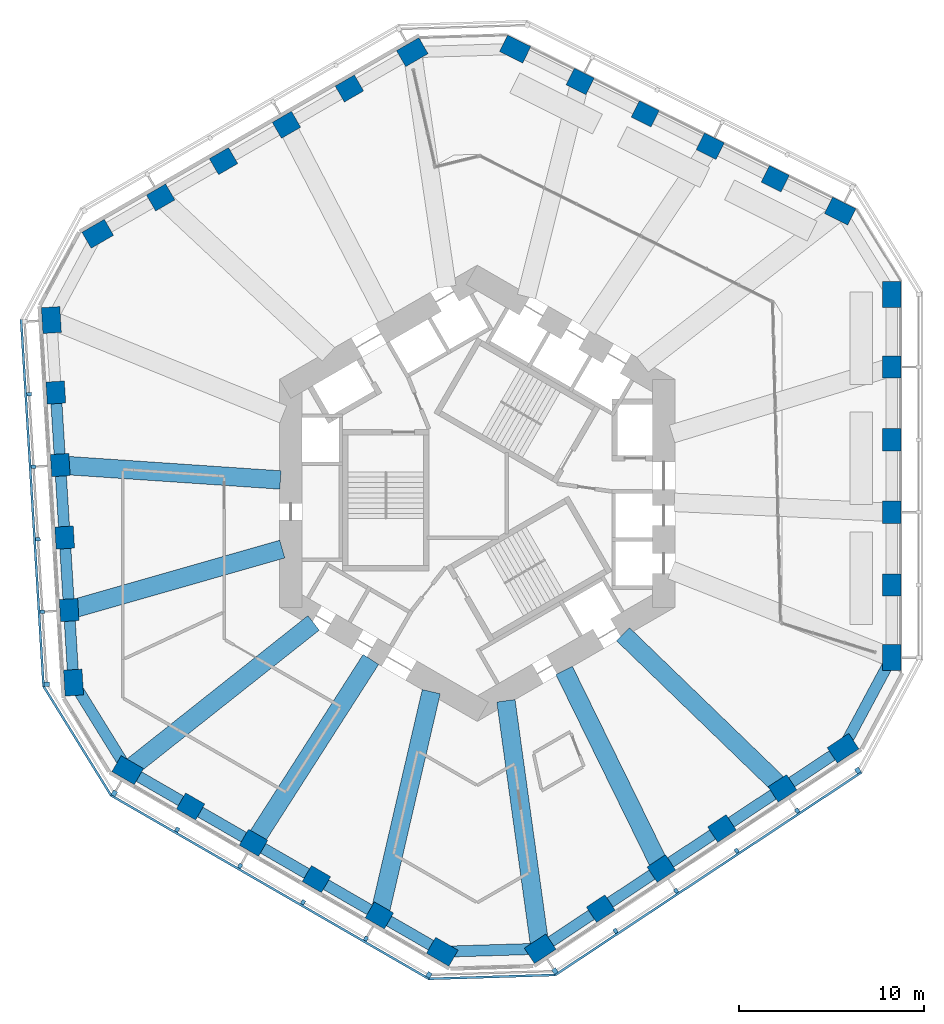
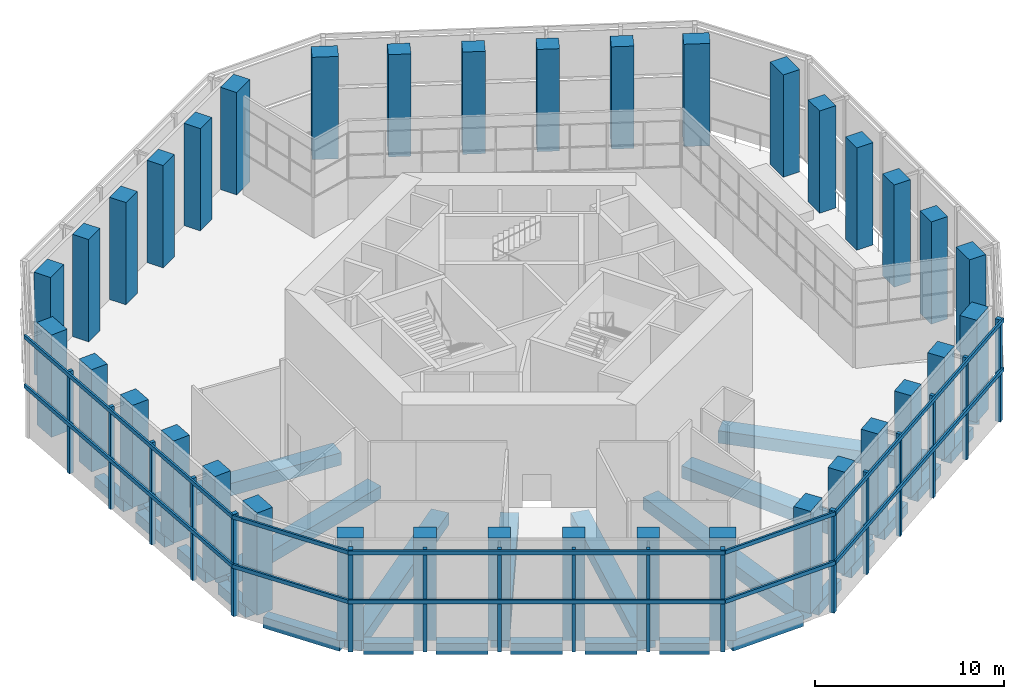
# One storey, part 1 of 17: 36 columns, 27 members, 25 beams, 5 elements without a shape of their own.
"""IFC4 building model written with IfcOpenShell, lengths in metres."""

from ifc_helpers import new_model, si_unit, direction, frame, origin, origin_2d, place, context, subcontext, project, spatial, rectangle, extrude, material, material_profile, profile_set, type_object, element, aggregate, save


model = new_model("IFC4")

# Units and contexts
model_context = context("Model", 3, precision=1e-05, world=origin(), true_north=direction((0.0, 1.0)))
body_context = subcontext(model_context, "Body", "Model", "MODEL_VIEW")
ifc_project = project(units=[si_unit("LENGTHUNIT", "METRE"), si_unit("AREAUNIT", "SQUARE_METRE"), si_unit("VOLUMEUNIT", "CUBIC_METRE"), si_unit("PLANEANGLEUNIT", "RADIAN"), si_unit("MASSUNIT", "GRAM", prefix="KILO")], contexts=[model_context])

# Site, building, storey
site_placement = place(None, origin())
site = spatial("IfcSite", under=ifc_project, at=site_placement, CompositionType="ELEMENT")
building_placement = place(site_placement, origin())
building = spatial("IfcBuilding", under=site, at=building_placement, Name="Vanh Sen Convention Tower", CompositionType="ELEMENT")
storey_placement = place(building_placement, frame((0.0, 0.0, 77.0)))
storey = spatial("IfcBuildingStorey", under=building, at=storey_placement, Name="L17", CompositionType="ELEMENT", Elevation=77.0)

# Columns
ifc_material_1 = material(Name="Concrete C80/95", Category="concrete")
ifc_material_profile_1 = material_profile(ifc_material_1, rectangle(XDim=1.199951171875, YDim=1.0, at=origin_2d()), Name="RC 1200X1000")
ifc_profile_set_1 = profile_set([ifc_material_profile_1], Name="Concrete C80/95")
column_type_1 = type_object("IfcColumnType", Name="Facade column 1200 x 1000 C80/95", PredefinedType="COLUMN", material=ifc_profile_set_1)
for number, where, z_axis, x_axis, name in (
    (1, (22.449951171875, -4.964599609375, 0.0), (0.0, 0.0, 1.0), (0.0, 1.0, 0.0), "Facade column 02 L17"),
    (2, (22.449951171875, -1.030029296875, 0.0), (0.0, 0.0, 1.0), (0.0, 1.0, 0.0), "Facade column 03 L17"),
    (3, (22.449951171875, 2.904541015625, 0.0), (0.0, 0.0, 1.0), (0.0, 1.0, 0.0), "Facade column 04 L17"),
    (4, (22.449951171875, 6.839111328125, 0.0), (0.0, 0.0, 1.0), (0.0, 1.0, 0.0), "Facade column 05 L17"),
    (5, (16.1376953125, 17.039794921875, 0.0), (0.0, 0.0, 1.0), (-0.894934361602, 0.44619781311, 0.0), "Facade column 08 L17"),
    (6, (12.616455078125, 18.79541015625, 0.0), (0.0, 0.0, 1.0), (-0.894934361602, 0.44619781311, 0.0), "Facade column 09 L17"),
    (7, (9.09521484375, 20.55078125, 0.0), (0.0, 0.0, 1.0), (-0.894934361602, 0.44619781311, 0.0), "Facade column 10 L17"),
    (8, (5.57421875, 22.306396484375, 0.0), (0.0, 0.0, 1.0), (-0.894934361602, 0.44619781311, 0.0), "Facade column 11 L17"),
    (9, (-6.925537109375, 21.924560546875, 0.0), (0.0, 0.0, 1.0), (-0.866025403784, -0.5, 0.0), "Facade column 14 L17"),
    (10, (-10.3330078125, 19.957275390625, 0.0), (0.0, 0.0, 1.0), (-0.866025403784, -0.5, 0.0), "Facade column 15 L17"),
    (11, (-13.740478515625, 17.989990234375, 0.0), (0.0, 0.0, 1.0), (-0.866025403784, -0.5, 0.0), "Facade column 16 L17"),
    (12, (-17.14794921875, 16.022705078125, 0.0), (0.0, 0.0, 1.0), (-0.866025403784, -0.5, 0.0), "Facade column 17 L17"),
    (13, (-22.82568359375, 5.455810546875, 0.0), (0.0, 0.0, 1.0), (0.061048539535, -0.998134798422, 0.0), "Facade column 20 L17"),
    (14, (-22.58544921875, 1.528564453125, 0.0), (0.0, 0.0, 1.0), (0.061048539535, -0.998134798422, 0.0), "Facade column 21 L17"),
    (15, (-22.34521484375, -2.398681640625, 0.0), (0.0, 0.0, 1.0), (0.061048539535, -0.998134798422, 0.0), "Facade column 22 L17"),
    (16, (-22.10498046875, -6.325927734375, 0.0), (0.0, 0.0, 1.0), (0.061048539535, -0.998134798422, 0.0), "Facade column 23 L17"),
    (17, (-15.5244140625, -16.9599609375, 0.0), (0.0, 0.0, 1.0), (0.866025403784, -0.5, 0.0), "Facade column 26 L17"),
    (18, (-12.1171875, -18.92724609375, 0.0), (0.0, 0.0, 1.0), (0.866025403784, -0.5, 0.0), "Facade column 27 L17"),
    (19, (-8.709716796875, -20.89453125, 0.0), (0.0, 0.0, 1.0), (0.866025403784, -0.5, 0.0), "Facade column 28 L17"),
    (20, (-5.302001953125, -22.86181640625, 0.0), (0.0, 0.0, 1.0), (0.866025403784, -0.5, 0.0), "Facade column 29 L17"),
    (21, (6.68798828125, -22.49560546875, 0.0), (0.0, 0.0, 1.0), (0.833885822067, 0.551936985312, 0.0), "Facade column 32 L17"),
    (22, (9.968994140625, -20.323974609375, 0.0), (0.0, 0.0, 1.0), (0.833885822067, 0.551936985312, 0.0), "Facade column 33 L17"),
    (23, (13.25, -18.152099609375, 0.0), (0.0, 0.0, 1.0), (0.833885822067, 0.551936985312, 0.0), "Facade column 34 L17"),
    (24, (16.531005859375, -15.980712890625, 0.0), (0.0, 0.0, 1.0), (0.833885822067, 0.551936985312, 0.0), "Facade column 35 L17"),
):
    element("IfcColumn", number, at=place(storey_placement, frame(where, z_axis=z_axis, x_axis=x_axis)), inside=storey, type_object=column_type_1, Name=name, PredefinedType="COLUMN", context=body_context, shape_type="SweptSolid", body=[
        extrude(rectangle(XDim=1.199951171875, YDim=1.0, at=origin_2d()), origin(), (0.0, 0.0, 1.0), 6.60009765625),
    ])
ifc_material_profile_2 = material_profile(ifc_material_1, rectangle(XDim=1.39990234375, YDim=1.0, at=origin_2d()), Name="RC 1400X1000")
ifc_profile_set_2 = profile_set([ifc_material_profile_2], Name="Concrete C80/95")
column_type_2 = type_object("IfcColumnType", Name="Facade corner column 1400 x 1000 C80/95", PredefinedType="COLUMN", material=ifc_profile_set_2)
for number, where, z_axis, x_axis, name in (
    (25, (22.449951171875, -8.899169921875, 0.0), (0.0, 0.0, 1.0), (0.0, 1.0, 0.0), "Facade column 01 L17"),
    (26, (22.449951171875, 10.773681640625, 0.0), (0.0, 0.0, 1.0), (0.0, 1.0, 0.0), "Facade column 06 L17"),
    (27, (19.658935546875, 15.2841796875, 0.0), (0.0, 0.0, 1.0), (-0.894934361602, 0.44619781311, 0.0), "Facade column 07 L17"),
    (28, (2.052978515625, 24.06201171875, 0.0), (0.0, 0.0, 1.0), (-0.894934361602, 0.44619781311, 0.0), "Facade column 12 L17"),
    (29, (-3.51806640625, 23.891845703125, 0.0), (0.0, 0.0, 1.0), (-0.866025403784, -0.5, 0.0), "Facade column 13 L17"),
    (30, (-20.555419921875, 14.055419921875, 0.0), (0.0, 0.0, 1.0), (-0.866025403784, -0.5, 0.0), "Facade column 18 L17"),
    (31, (-23.06591796875, 9.383056640625, 0.0), (0.0, 0.0, 1.0), (0.061048539535, -0.998134798422, 0.0), "Facade column 19 L17"),
    (32, (-21.86474609375, -10.253173828125, 0.0), (0.0, 0.0, 1.0), (0.061048539535, -0.998134798422, 0.0), "Facade column 24 L17"),
    (33, (-18.931884765625, -14.99267578125, 0.0), (0.0, 0.0, 1.0), (0.866025403784, -0.5, 0.0), "Facade column 25 L17"),
    (34, (-1.894775390625, -24.8291015625, 0.0), (0.0, 0.0, 1.0), (0.866025403784, -0.5, 0.0), "Facade column 30 L17"),
    (35, (3.406982421875, -24.6669921875, 0.0), (0.0, 0.0, 1.0), (0.833885822067, 0.551936985312, 0.0), "Facade column 31 L17"),
    (36, (19.81201171875, -13.808837890625, 0.0), (0.0, 0.0, 1.0), (0.833885822067, 0.551936985312, 0.0), "Facade column 36 L17"),
):
    element("IfcColumn", number, at=place(storey_placement, frame(where, z_axis=z_axis, x_axis=x_axis)), inside=storey, type_object=column_type_2, Name=name, PredefinedType="COLUMN", context=body_context, shape_type="SweptSolid", body=[
        extrude(rectangle(XDim=1.39990234375, YDim=1.0, at=origin_2d()), origin(), (0.0, 0.0, 1.0), 6.60009765625),
    ])

# Curtain wall, member
ifc_material_2 = material(Name="Concrete C50/60", Category="concrete")
curtain_wall_type = type_object("IfcCurtainWallType", Name="Outer skin hotel zone", PredefinedType="NOTDEFINED", material=ifc_material_2)
curtain_wall_1_placement = place(storey_placement, origin())
curtain_wall_1 = element("IfcCurtainWall", 37, at=curtain_wall_1_placement, inside=storey, type_object=curtain_wall_type, Name="OUTER SKIN W L17", PredefinedType="NOTDEFINED")
ifc_material_profile_3 = material_profile(ifc_material_2, rectangle(XDim=0.25, YDim=0.300048828125, at=origin_2d()), Name="Outer skin precast corner fin 250 x 300")
ifc_profile_set_3 = profile_set([ifc_material_profile_3], Name="Concrete C50/60")
member_type_1 = type_object("IfcMemberType", Name="Outer skin precast corner fin 250 x 300", PredefinedType="MULLION", material=ifc_profile_set_3)
member_1_placement = place(storey_placement, frame((-23.31201171875, -10.341796875, 0.0), z_axis=(0.0, 0.0, 1.0), x_axis=(0.061048539535, -0.998134798422, 0.0)))
member_1 = element("IfcMember", 38, at=member_1_placement, type_object=member_type_1, Name="OUTER SKIN CORNER FIN 6 W L17", PredefinedType="MULLION", context=body_context, shape_type="SweptSolid", body=[
    extrude(rectangle(XDim=0.25, YDim=0.300048828125, at=origin_2d()), origin(), (0.0, 0.0, 1.0), 6.60009765625),
])

# Curtain wall, members
curtain_wall_2_placement = place(storey_placement, origin())
curtain_wall_2 = element("IfcCurtainWall", 39, at=curtain_wall_2_placement, inside=storey, type_object=curtain_wall_type, Name="OUTER SKIN SW L17", PredefinedType="NOTDEFINED")
member_2_placement = place(storey_placement, frame((-19.656982421875, -16.248291015625, 0.0), z_axis=(0.0, 0.0, 1.0), x_axis=(0.866025403784, -0.5, 0.0)))
member_2 = element("IfcMember", 40, at=member_2_placement, type_object=member_type_1, Name="OUTER SKIN CORNER FIN 1 SW L17", PredefinedType="MULLION", context=body_context, shape_type="SweptSolid", body=[
    extrude(rectangle(XDim=0.25, YDim=0.300048828125, at=origin_2d()), origin(), (0.0, 0.0, 1.0), 6.60009765625),
])
member_3_placement = place(storey_placement, frame((-2.61962890625, -26.084716796875, 0.0), z_axis=(0.0, 0.0, 1.0), x_axis=(0.866025403784, -0.5, 0.0)))
member_3 = element("IfcMember", 41, at=member_3_placement, type_object=member_type_1, Name="OUTER SKIN CORNER FIN 6 SW L17", PredefinedType="MULLION", context=body_context, shape_type="SweptSolid", body=[
    extrude(rectangle(XDim=0.25, YDim=0.300048828125, at=origin_2d()), origin(), (0.0, 0.0, 1.0), 6.60009765625),
])

curtain_wall_3_placement = place(storey_placement, origin())
curtain_wall_3 = element("IfcCurtainWall", 42, at=curtain_wall_3_placement, inside=storey, type_object=curtain_wall_type, Name="OUTER SKIN SE L17", PredefinedType="NOTDEFINED")
member_4_placement = place(storey_placement, frame((4.207275390625, -25.876220703125, 0.0), z_axis=(0.0, 0.0, 1.0), x_axis=(0.833885822067, 0.551936985312, 0.0)))
member_4 = element("IfcMember", 43, at=member_4_placement, type_object=member_type_1, Name="OUTER SKIN CORNER FIN 1 SE L17", PredefinedType="MULLION", context=body_context, shape_type="SweptSolid", body=[
    extrude(rectangle(XDim=0.25, YDim=0.300048828125, at=origin_2d()), origin(), (0.0, 0.0, 1.0), 6.60009765625),
])
member_5_placement = place(storey_placement, frame((20.6123046875, -15.01806640625, 0.0), z_axis=(0.0, 0.0, 1.0), x_axis=(0.833885822067, 0.551936985312, 0.0)))
member_5 = element("IfcMember", 44, at=member_5_placement, type_object=member_type_1, Name="OUTER SKIN CORNER FIN 6 SE L17", PredefinedType="MULLION", context=body_context, shape_type="SweptSolid", body=[
    extrude(rectangle(XDim=0.25, YDim=0.300048828125, at=origin_2d()), origin(), (0.0, 0.0, 1.0), 6.60009765625),
])

# Member
ifc_material_profile_4 = material_profile(ifc_material_2, rectangle(XDim=0.199951171875, YDim=0.25, at=origin_2d()), Name="Outer skin precast fin 200 x 250")
ifc_profile_set_4 = profile_set([ifc_material_profile_4], Name="Concrete C50/60")
member_type_2 = type_object("IfcMemberType", Name="Outer skin precast fin 200 x 250", PredefinedType="MULLION", material=ifc_profile_set_4)
member_6_placement = place(storey_placement, frame((-24.27294921875, 5.3671875, 0.0), z_axis=(0.0, 0.0, 1.0), x_axis=(0.061048539535, -0.998134798422, 0.0)))
member_6 = element("IfcMember", 45, at=member_6_placement, type_object=member_type_2, Name="OUTER SKIN fin 2 W L17", PredefinedType="MULLION", context=body_context, shape_type="SweptSolid", body=[
    extrude(rectangle(XDim=0.199951171875, YDim=0.25, at=origin_2d()), origin(), (0.0, 0.0, 1.0), 6.60009765625),
])

member_7_placement = place(storey_placement, frame((-24.03271484375, 1.440185546875, 0.0), z_axis=(0.0, 0.0, 1.0), x_axis=(0.061048539535, -0.998134798422, 0.0)))
member_7 = element("IfcMember", 46, at=member_7_placement, type_object=member_type_2, Name="OUTER SKIN fin 3 W L17", PredefinedType="MULLION", context=body_context, shape_type="SweptSolid", body=[
    extrude(rectangle(XDim=0.199951171875, YDim=0.25, at=origin_2d()), origin(), (0.0, 0.0, 1.0), 6.60009765625),
])

member_8_placement = place(storey_placement, frame((-23.79248046875, -2.4873046875, 0.0), z_axis=(0.0, 0.0, 1.0), x_axis=(0.061048539535, -0.998134798422, 0.0)))
member_8 = element("IfcMember", 47, at=member_8_placement, type_object=member_type_2, Name="OUTER SKIN fin 4 W L17", PredefinedType="MULLION", context=body_context, shape_type="SweptSolid", body=[
    extrude(rectangle(XDim=0.199951171875, YDim=0.25, at=origin_2d()), origin(), (0.0, 0.0, 1.0), 6.60009765625),
])

member_9_placement = place(storey_placement, frame((-23.55224609375, -6.414306640625, 0.0), z_axis=(0.0, 0.0, 1.0), x_axis=(0.061048539535, -0.998134798422, 0.0)))
member_9 = element("IfcMember", 48, at=member_9_placement, type_object=member_type_2, Name="OUTER SKIN fin 5 W L17", PredefinedType="MULLION", context=body_context, shape_type="SweptSolid", body=[
    extrude(rectangle(XDim=0.199951171875, YDim=0.25, at=origin_2d()), origin(), (0.0, 0.0, 1.0), 6.60009765625),
])

member_10_placement = place(storey_placement, frame((-16.24951171875, -18.2158203125, 0.0), z_axis=(0.0, 0.0, 1.0), x_axis=(0.866025403784, -0.5, 0.0)))
member_10 = element("IfcMember", 49, at=member_10_placement, type_object=member_type_2, Name="OUTER SKIN fin 2 SW L17", PredefinedType="MULLION", context=body_context, shape_type="SweptSolid", body=[
    extrude(rectangle(XDim=0.199951171875, YDim=0.25, at=origin_2d()), origin(), (0.0, 0.0, 1.0), 6.60009765625),
])

member_11_placement = place(storey_placement, frame((-12.842041015625, -20.182861328125, 0.0), z_axis=(0.0, 0.0, 1.0), x_axis=(0.866025403784, -0.5, 0.0)))
member_11 = element("IfcMember", 50, at=member_11_placement, type_object=member_type_2, Name="OUTER SKIN fin 3 SW L17", PredefinedType="MULLION", context=body_context, shape_type="SweptSolid", body=[
    extrude(rectangle(XDim=0.199951171875, YDim=0.25, at=origin_2d()), origin(), (0.0, 0.0, 1.0), 6.60009765625),
])

member_12_placement = place(storey_placement, frame((-9.4345703125, -22.150146484375, 0.0), z_axis=(0.0, 0.0, 1.0), x_axis=(0.866025403784, -0.5, 0.0)))
member_12 = element("IfcMember", 51, at=member_12_placement, type_object=member_type_2, Name="OUTER SKIN fin 4 SW L17", PredefinedType="MULLION", context=body_context, shape_type="SweptSolid", body=[
    extrude(rectangle(XDim=0.199951171875, YDim=0.25, at=origin_2d()), origin(), (0.0, 0.0, 1.0), 6.60009765625),
])

member_13_placement = place(storey_placement, frame((-6.027099609375, -24.117431640625, 0.0), z_axis=(0.0, 0.0, 1.0), x_axis=(0.866025403784, -0.5, 0.0)))
member_13 = element("IfcMember", 52, at=member_13_placement, type_object=member_type_2, Name="OUTER SKIN fin 5 SW L17", PredefinedType="MULLION", context=body_context, shape_type="SweptSolid", body=[
    extrude(rectangle(XDim=0.199951171875, YDim=0.25, at=origin_2d()), origin(), (0.0, 0.0, 1.0), 6.60009765625),
])

member_14_placement = place(storey_placement, frame((7.48828125, -23.70458984375, 0.0), z_axis=(0.0, 0.0, 1.0), x_axis=(0.833885822067, 0.551936985312, 0.0)))
member_14 = element("IfcMember", 53, at=member_14_placement, type_object=member_type_2, Name="OUTER SKIN fin 2 SE L17", PredefinedType="MULLION", context=body_context, shape_type="SweptSolid", body=[
    extrude(rectangle(XDim=0.199951171875, YDim=0.25, at=origin_2d()), origin(), (0.0, 0.0, 1.0), 6.60009765625),
])

member_15_placement = place(storey_placement, frame((10.769287109375, -21.532958984375, 0.0), z_axis=(0.0, 0.0, 1.0), x_axis=(0.833885822067, 0.551936985312, 0.0)))
member_15 = element("IfcMember", 54, at=member_15_placement, type_object=member_type_2, Name="OUTER SKIN fin 3 SE L17", PredefinedType="MULLION", context=body_context, shape_type="SweptSolid", body=[
    extrude(rectangle(XDim=0.199951171875, YDim=0.25, at=origin_2d()), origin(), (0.0, 0.0, 1.0), 6.60009765625),
])

member_16_placement = place(storey_placement, frame((14.05029296875, -19.361328125, 0.0), z_axis=(0.0, 0.0, 1.0), x_axis=(0.833885822067, 0.551936985312, 0.0)))
member_16 = element("IfcMember", 55, at=member_16_placement, type_object=member_type_2, Name="OUTER SKIN fin 4 SE L17", PredefinedType="MULLION", context=body_context, shape_type="SweptSolid", body=[
    extrude(rectangle(XDim=0.199951171875, YDim=0.25, at=origin_2d()), origin(), (0.0, 0.0, 1.0), 6.60009765625),
])

member_17_placement = place(storey_placement, frame((17.331298828125, -17.189697265625, 0.0), z_axis=(0.0, 0.0, 1.0), x_axis=(0.833885822067, 0.551936985312, 0.0)))
member_17 = element("IfcMember", 56, at=member_17_placement, type_object=member_type_2, Name="OUTER SKIN fin 5 SE L17", PredefinedType="MULLION", context=body_context, shape_type="SweptSolid", body=[
    extrude(rectangle(XDim=0.199951171875, YDim=0.25, at=origin_2d()), origin(), (0.0, 0.0, 1.0), 6.60009765625),
])

ifc_material_profile_5 = material_profile(ifc_material_2, rectangle(XDim=0.1201171875, YDim=0.25, at=origin_2d()), Name="Outer skin precast spandrel band 250 x 120")
ifc_profile_set_5 = profile_set([ifc_material_profile_5], Name="Concrete C50/60")
member_type_3 = type_object("IfcMemberType", Name="Outer skin precast spandrel band 250 x 120", PredefinedType="USERDEFINED", material=ifc_profile_set_5)
member_18_placement = place(storey_placement, frame((-24.705322265625, 9.408203125, 6.47509765625), z_axis=(0.061050017989, -0.998134707995, 0.0), x_axis=(0.998134707995, 0.061050017989, 0.0)))
member_18 = element("IfcMember", 57, at=member_18_placement, type_object=member_type_3, Name="OUTER SKIN spandrel band W L17", ObjectType="TRANSOM", PredefinedType="USERDEFINED", context=body_context, shape_type="SweptSolid", body=[
    extrude(rectangle(XDim=0.1201171875, YDim=0.25, at=origin_2d()), origin(), (0.0, 0.0, 1.0), 19.923095703125),
])

member_19_placement = place(storey_placement, frame((-24.705322265625, 9.408203125, 3.300048828125), z_axis=(0.061050017989, -0.998134707995, 0.0), x_axis=(0.998134707995, 0.061050017989, 0.0)))
member_19 = element("IfcMember", 58, at=member_19_placement, type_object=member_type_3, Name="OUTER SKIN spandrel band W L17 mid", ObjectType="TRANSOM", PredefinedType="USERDEFINED", context=body_context, shape_type="SweptSolid", body=[
    extrude(rectangle(XDim=0.1201171875, YDim=0.25, at=origin_2d()), origin(), (0.0, 0.0, 1.0), 19.923095703125),
])

aggregate(curtain_wall_1, [member_6, member_7, member_8, member_9, member_1, member_18, member_19])

# Curtain wall, members
curtain_wall_4_placement = place(storey_placement, origin())
curtain_wall_4 = element("IfcCurtainWall", 59, at=curtain_wall_4_placement, inside=storey, type_object=curtain_wall_type, Name="OUTER SKIN CH4 L17", PredefinedType="NOTDEFINED")
member_20_placement = place(storey_placement, frame((-23.49072265625, -10.4521484375, 6.47509765625), z_axis=(0.526196095141, -0.850363257354, 0.0), x_axis=(0.850363257354, 0.526196095141, 0.0)))
member_20 = element("IfcMember", 60, at=member_20_placement, type_object=member_type_3, Name="OUTER SKIN spandrel band CH4 L17", ObjectType="TRANSOM", PredefinedType="USERDEFINED", context=body_context, shape_type="SweptSolid", body=[
    extrude(rectangle(XDim=0.1201171875, YDim=0.25, at=origin_2d()), origin(), (0.0, 0.0, 1.0), 6.946044921875),
])
member_21_placement = place(storey_placement, frame((-23.49072265625, -10.4521484375, 3.300048828125), z_axis=(0.526196095141, -0.850363257354, 0.0), x_axis=(0.850363257354, 0.526196095141, 0.0)))
member_21 = element("IfcMember", 61, at=member_21_placement, type_object=member_type_3, Name="OUTER SKIN spandrel band CH4 L17 mid", ObjectType="TRANSOM", PredefinedType="USERDEFINED", context=body_context, shape_type="SweptSolid", body=[
    extrude(rectangle(XDim=0.1201171875, YDim=0.25, at=origin_2d()), origin(), (0.0, 0.0, 1.0), 6.946044921875),
])
aggregate(curtain_wall_4, [member_20, member_21])

# Member
member_22_placement = place(storey_placement, frame((-19.85791015625, -16.34619140625, 6.47509765625), z_axis=(0.866028047459, -0.499995420993, 0.0), x_axis=(0.499995420993, 0.866028047459, 0.0)))
member_22 = element("IfcMember", 62, at=member_22_placement, type_object=member_type_3, Name="OUTER SKIN spandrel band SW L17", ObjectType="TRANSOM", PredefinedType="USERDEFINED", context=body_context, shape_type="SweptSolid", body=[
    extrude(rectangle(XDim=0.1201171875, YDim=0.25, at=origin_2d()), origin(), (0.0, 0.0, 1.0), 19.923095703125),
])

member_23_placement = place(storey_placement, frame((-19.85791015625, -16.34619140625, 3.300048828125), z_axis=(0.866028047459, -0.499995420993, 0.0), x_axis=(0.499995420993, 0.866028047459, 0.0)))
member_23 = element("IfcMember", 63, at=member_23_placement, type_object=member_type_3, Name="OUTER SKIN spandrel band SW L17 mid", ObjectType="TRANSOM", PredefinedType="USERDEFINED", context=body_context, shape_type="SweptSolid", body=[
    extrude(rectangle(XDim=0.1201171875, YDim=0.25, at=origin_2d()), origin(), (0.0, 0.0, 1.0), 19.923095703125),
])

aggregate(curtain_wall_2, [member_2, member_10, member_11, member_12, member_13, member_3, member_22, member_23])

# Curtain wall, members
curtain_wall_5_placement = place(storey_placement, origin())
curtain_wall_5 = element("IfcCurtainWall", 64, at=curtain_wall_5_placement, inside=storey, type_object=curtain_wall_type, Name="OUTER SKIN CH5 L17", PredefinedType="NOTDEFINED")
member_24_placement = place(storey_placement, frame((-2.61328125, -26.294677734375, 6.47509765625), z_axis=(0.99953396928, 0.030526124156, 0.0), x_axis=(-0.030526124156, 0.99953396928, 0.0)))
member_24 = element("IfcMember", 65, at=member_24_placement, type_object=member_type_3, Name="OUTER SKIN spandrel band CH5 L17", ObjectType="TRANSOM", PredefinedType="USERDEFINED", context=body_context, shape_type="SweptSolid", body=[
    extrude(rectangle(XDim=0.1201171875, YDim=0.25, at=origin_2d()), origin(), (0.0, 0.0, 1.0), 6.830078125),
])
member_25_placement = place(storey_placement, frame((-2.61328125, -26.294677734375, 3.300048828125), z_axis=(0.99953396928, 0.030526124156, 0.0), x_axis=(-0.030526124156, 0.99953396928, 0.0)))
member_25 = element("IfcMember", 66, at=member_25_placement, type_object=member_type_3, Name="OUTER SKIN spandrel band CH5 L17 mid", ObjectType="TRANSOM", PredefinedType="USERDEFINED", context=body_context, shape_type="SweptSolid", body=[
    extrude(rectangle(XDim=0.1201171875, YDim=0.25, at=origin_2d()), origin(), (0.0, 0.0, 1.0), 6.830078125),
])
aggregate(curtain_wall_5, [member_24, member_25])

# Member
member_26_placement = place(storey_placement, frame((4.205078125, -26.099609375, 6.47509765625), z_axis=(0.833883851182, 0.551939962984, 0.0), x_axis=(-0.551939962984, 0.833883851182, 0.0)))
member_26 = element("IfcMember", 67, at=member_26_placement, type_object=member_type_3, Name="OUTER SKIN spandrel band SE L17", ObjectType="TRANSOM", PredefinedType="USERDEFINED", context=body_context, shape_type="SweptSolid", body=[
    extrude(rectangle(XDim=0.1201171875, YDim=0.25, at=origin_2d()), origin(), (0.0, 0.0, 1.0), 19.923095703125),
])

member_27_placement = place(storey_placement, frame((4.205078125, -26.099609375, 3.300048828125), z_axis=(0.833883851182, 0.551939962984, 0.0), x_axis=(-0.551939962984, 0.833883851182, 0.0)))
member_27 = element("IfcMember", 68, at=member_27_placement, type_object=member_type_3, Name="OUTER SKIN spandrel band SE L17 mid", ObjectType="TRANSOM", PredefinedType="USERDEFINED", context=body_context, shape_type="SweptSolid", body=[
    extrude(rectangle(XDim=0.1201171875, YDim=0.25, at=origin_2d()), origin(), (0.0, 0.0, 1.0), 19.923095703125),
])

aggregate(curtain_wall_3, [member_4, member_14, member_15, member_16, member_17, member_5, member_26, member_27])

# Beams
ifc_material_3 = material(Name="Concrete C50/60", Category="concrete")
ifc_material_profile_6 = material_profile(ifc_material_3, rectangle(XDim=1.0, YDim=0.800048828125, at=origin_2d()), Name="RC 1000X800")
ifc_profile_set_6 = profile_set([ifc_material_profile_6], Name="Concrete C50/60")
beam_type_1 = type_object("IfcBeamType", Name="Radial floor beam 1000 x 800", PredefinedType="BEAM", material=ifc_profile_set_6)
beam_1_placement = place(storey_placement, frame((-22.15185546875, 1.499267578125, -0.75), z_axis=(0.997718156648, -0.067516515721, 0.0), x_axis=(0.067516515721, 0.997718156648, 0.0)))
element("IfcBeam", 69, at=beam_1_placement, inside=storey, type_object=beam_type_1, Name="Radial beam 11 L17", PredefinedType="BEAM", context=body_context, shape_type="SweptSolid", body=[
    extrude(rectangle(XDim=1.0, YDim=0.800048828125, at=origin_2d()), origin(), (0.0, 0.0, 1.0), 11.51708984375),
])
beam_2_placement = place(storey_placement, frame((-21.723876953125, -6.216796875, -0.75), z_axis=(0.961405669021, 0.275134766203, 0.0), x_axis=(-0.275134766203, 0.961405669021, 0.0)))
element("IfcBeam", 70, at=beam_2_placement, inside=storey, type_object=beam_type_1, Name="Radial beam 12 L17", PredefinedType="BEAM", context=body_context, shape_type="SweptSolid", body=[
    extrude(rectangle(XDim=1.0, YDim=0.800048828125, at=origin_2d()), origin(), (0.0, 0.0, 1.0), 11.614501953125),
])
beam_3_placement = place(storey_placement, frame((-18.669677734375, -14.784912109375, -0.75), z_axis=(0.783946075621, 0.620828922102, 0.0), x_axis=(-0.620828922102, 0.783946075621, 0.0)))
element("IfcBeam", 71, at=beam_3_placement, inside=storey, type_object=beam_type_1, Name="Radial beam 13 L17", PredefinedType="BEAM", context=body_context, shape_type="SweptSolid", body=[
    extrude(rectangle(XDim=1.0, YDim=0.800048828125, at=origin_2d()), origin(), (0.0, 0.0, 1.0), 12.508056640625),
])
beam_4_placement = place(storey_placement, frame((-11.8623046875, -18.529296875, -0.75), z_axis=(0.539168157523, 0.842198134594, 0.0), x_axis=(-0.842198134594, 0.539168157523, 0.0)))
element("IfcBeam", 72, at=beam_4_placement, inside=storey, type_object=beam_type_1, Name="Radial beam 14 L17", PredefinedType="BEAM", context=body_context, shape_type="SweptSolid", body=[
    extrude(rectangle(XDim=1.0, YDim=0.800048828125, at=origin_2d()), origin(), (0.0, 0.0, 1.0), 11.31787109375),
])
beam_5_placement = place(storey_placement, frame((-5.219482421875, -22.505859375, -0.75), z_axis=(0.225921069531, 0.974145610441, 0.0), x_axis=(-0.974145610441, 0.225921069531, 0.0)))
element("IfcBeam", 73, at=beam_5_placement, inside=storey, type_object=beam_type_1, Name="Radial beam 15 L17", PredefinedType="BEAM", context=body_context, shape_type="SweptSolid", body=[
    extrude(rectangle(XDim=1.0, YDim=0.800048828125, at=origin_2d()), origin(), (0.0, 0.0, 1.0), 12.0751953125),
])
beam_6_placement = place(storey_placement, frame((3.364501953125, -24.3603515625, -0.75), z_axis=(-0.136807007089, 0.990597719971, 0.0), x_axis=(-0.990597719971, -0.136807007089, 0.0)))
element("IfcBeam", 74, at=beam_6_placement, inside=storey, type_object=beam_type_1, Name="Radial beam 16 L17", PredefinedType="BEAM", context=body_context, shape_type="SweptSolid", body=[
    extrude(rectangle(XDim=1.0, YDim=0.800048828125, at=origin_2d()), origin(), (0.0, 0.0, 1.0), 13.24853515625),
])
beam_7_placement = place(storey_placement, frame((9.777587890625, -19.933837890625, -0.75), z_axis=(-0.440374700847, 0.897814080339, 0.0), x_axis=(-0.897814080339, -0.440374700847, 0.0)))
element("IfcBeam", 75, at=beam_7_placement, inside=storey, type_object=beam_type_1, Name="Radial beam 17 L17", PredefinedType="BEAM", context=body_context, shape_type="SweptSolid", body=[
    extrude(rectangle(XDim=1.0, YDim=0.800048828125, at=origin_2d()), origin(), (0.0, 0.0, 1.0), 11.516845703125),
])
beam_8_placement = place(storey_placement, frame((16.245849609375, -15.705078125, -0.75), z_axis=(-0.718976471313, 0.695034411881, 0.0), x_axis=(-0.695034411881, -0.718976471313, 0.0)))
element("IfcBeam", 76, at=beam_8_placement, inside=storey, type_object=beam_type_1, Name="Radial beam 18 L17", PredefinedType="BEAM", context=body_context, shape_type="SweptSolid", body=[
    extrude(rectangle(XDim=1.0, YDim=0.800048828125, at=origin_2d()), origin(), (0.0, 0.0, 1.0), 11.614501953125),
])
ifc_material_profile_7 = material_profile(ifc_material_3, rectangle(XDim=0.60009765625, YDim=0.699951171875, at=origin_2d()), Name="RC 600X700")
ifc_profile_set_7 = profile_set([ifc_material_profile_7], Name="Concrete C50/60")
beam_type_2 = type_object("IfcBeamType", Name="Spandrel beam 600 x 700", PredefinedType="SPANDREL", material=ifc_profile_set_7)
beam_9_placement = place(storey_placement, frame((-22.789306640625, 4.86181640625, -0.699951171875), z_axis=(0.061115489467, -0.998130701335, 0.0), x_axis=(0.998130701335, 0.061115489467, 0.0)))
element("IfcBeam", 77, at=beam_9_placement, inside=storey, type_object=beam_type_2, Name="Spandrel beam 20 L17", PredefinedType="SPANDREL", context=body_context, shape_type="SweptSolid", body=[
    extrude(rectangle(XDim=0.60009765625, YDim=0.699951171875, at=origin_2d()), origin(), (0.0, 0.0, 1.0), 2.744384765625),
])
beam_10_placement = place(storey_placement, frame((-22.549072265625, 0.934814453125, -0.699951171875), z_axis=(0.061021442686, -0.998136455367, 0.0), x_axis=(0.998136455367, 0.061021442686, 0.0)))
element("IfcBeam", 78, at=beam_10_placement, inside=storey, type_object=beam_type_2, Name="Spandrel beam 21 L17", PredefinedType="SPANDREL", context=body_context, shape_type="SweptSolid", body=[
    extrude(rectangle(XDim=0.60009765625, YDim=0.699951171875, at=origin_2d()), origin(), (0.0, 0.0, 1.0), 2.74462890625),
])
beam_11_placement = place(storey_placement, frame((-22.308837890625, -2.99267578125, -0.699951171875), z_axis=(0.061026861063, -0.998136124098, 0.0), x_axis=(0.998136124098, 0.061026861063, 0.0)))
element("IfcBeam", 79, at=beam_11_placement, inside=storey, type_object=beam_type_2, Name="Spandrel beam 22 L17", PredefinedType="SPANDREL", context=body_context, shape_type="SweptSolid", body=[
    extrude(rectangle(XDim=0.60009765625, YDim=0.699951171875, at=origin_2d()), origin(), (0.0, 0.0, 1.0), 2.744384765625),
])
beam_12_placement = place(storey_placement, frame((-22.068603515625, -6.919921875, -0.699951171875), z_axis=(0.061021844318, -0.998136430813, 0.0), x_axis=(0.998136430813, 0.061021844318, 0.0)))
element("IfcBeam", 80, at=beam_12_placement, inside=storey, type_object=beam_type_2, Name="Spandrel beam 23 L17", PredefinedType="SPANDREL", context=body_context, shape_type="SweptSolid", body=[
    extrude(rectangle(XDim=0.60009765625, YDim=0.699951171875, at=origin_2d()), origin(), (0.0, 0.0, 1.0), 2.64453125),
])
beam_13_placement = place(storey_placement, frame((-21.60546875, -10.67236328125, -0.699951171875), z_axis=(0.52620987415, -0.85035473089, 0.0), x_axis=(0.85035473089, 0.52620987415, 0.0)))
element("IfcBeam", 81, at=beam_13_placement, inside=storey, type_object=beam_type_2, Name="Spandrel beam 24 L17", PredefinedType="SPANDREL", context=body_context, shape_type="SweptSolid", body=[
    extrude(rectangle(XDim=0.60009765625, YDim=0.699951171875, at=origin_2d()), origin(), (0.0, 0.0, 1.0), 4.587646484375),
])
beam_14_placement = place(storey_placement, frame((-18.330078125, -15.340087890625, -0.699951171875), z_axis=(0.865990340526, -0.500060726429, 0.0), x_axis=(0.500060726429, 0.865990340526, 0.0)))
element("IfcBeam", 82, at=beam_14_placement, inside=storey, type_object=beam_type_2, Name="Spandrel beam 25 L17", PredefinedType="SPANDREL", context=body_context, shape_type="SweptSolid", body=[
    extrude(rectangle(XDim=0.60009765625, YDim=0.699951171875, at=origin_2d()), origin(), (0.0, 0.0, 1.0), 2.644775390625),
])
for number, where, z_axis, x_axis, name in (
    (83, (-15.00927734375, -17.257568359375, -0.699951171875), (0.866067086513, -0.499927796446, 0.0), (0.499927796446, 0.866067086513, 0.0), "Spandrel beam 26 L17"),
    (84, (-11.601806640625, -19.224609375, -0.699951171875), (0.866028570666, -0.499994514761, 0.0), (0.499994514761, 0.866028570666, 0.0), "Spandrel beam 27 L17"),
    (85, (-8.1943359375, -21.19189453125, -0.699951171875), (0.866028570666, -0.499994514761, 0.0), (0.499994514761, 0.866028570666, 0.0), "Spandrel beam 28 L17"),
):
    element("IfcBeam", number, at=place(storey_placement, frame(where, z_axis=z_axis, x_axis=x_axis)), inside=storey, type_object=beam_type_2, Name=name, PredefinedType="SPANDREL", context=body_context, shape_type="SweptSolid", body=[
        extrude(rectangle(XDim=0.60009765625, YDim=0.699951171875, at=origin_2d()), origin(), (0.0, 0.0, 1.0), 2.74462890625),
    ])
beam_15_placement = place(storey_placement, frame((-4.786865234375, -23.1591796875, -0.699951171875), z_axis=(0.865990340526, -0.500060726429, 0.0), x_axis=(0.500060726429, 0.865990340526, 0.0)))
element("IfcBeam", 86, at=beam_15_placement, inside=storey, type_object=beam_type_2, Name="Spandrel beam 29 L17", PredefinedType="SPANDREL", context=body_context, shape_type="SweptSolid", body=[
    extrude(rectangle(XDim=0.60009765625, YDim=0.699951171875, at=origin_2d()), origin(), (0.0, 0.0, 1.0), 2.644775390625),
])
beam_16_placement = place(storey_placement, frame((-1.4345703125, -24.81494140625, -0.699951171875), z_axis=(0.999534100542, 0.030521825872, 0.0), x_axis=(-0.030521825872, 0.999534100542, 0.0)))
element("IfcBeam", 87, at=beam_16_placement, inside=storey, type_object=beam_type_2, Name="Spandrel beam 30 L17", PredefinedType="SPANDREL", context=body_context, shape_type="SweptSolid", body=[
    extrude(rectangle(XDim=0.60009765625, YDim=0.699951171875, at=origin_2d()), origin(), (0.0, 0.0, 1.0), 4.38330078125),
])
beam_17_placement = place(storey_placement, frame((3.986572265625, -24.283447265625, -0.699951171875), z_axis=(0.833892212548, 0.551927330227, 0.0), x_axis=(-0.551927330227, 0.833892212548, 0.0)))
element("IfcBeam", 88, at=beam_17_placement, inside=storey, type_object=beam_type_2, Name="Spandrel beam 31 L17", PredefinedType="SPANDREL", context=body_context, shape_type="SweptSolid", body=[
    extrude(rectangle(XDim=0.60009765625, YDim=0.699951171875, at=origin_2d()), origin(), (0.0, 0.0, 1.0), 2.644287109375),
])
beam_18_placement = place(storey_placement, frame((7.18408203125, -22.1669921875, -0.699951171875), z_axis=(0.833906917805, 0.551905111805, 0.0), x_axis=(-0.551905111805, 0.833906917805, 0.0)))
element("IfcBeam", 89, at=beam_18_placement, inside=storey, type_object=beam_type_2, Name="Spandrel beam 32 L17", PredefinedType="SPANDREL", context=body_context, shape_type="SweptSolid", body=[
    extrude(rectangle(XDim=0.60009765625, YDim=0.699951171875, at=origin_2d()), origin(), (0.0, 0.0, 1.0), 2.744384765625),
])
beam_19_placement = place(storey_placement, frame((10.465087890625, -19.99560546875, -0.699951171875), z_axis=(0.833865974996, 0.551966969794, 0.0), x_axis=(-0.551966969794, 0.833865974996, 0.0)))
element("IfcBeam", 90, at=beam_19_placement, inside=storey, type_object=beam_type_2, Name="Spandrel beam 33 L17", PredefinedType="SPANDREL", context=body_context, shape_type="SweptSolid", body=[
    extrude(rectangle(XDim=0.60009765625, YDim=0.699951171875, at=origin_2d()), origin(), (0.0, 0.0, 1.0), 2.74462890625),
])
beam_20_placement = place(storey_placement, frame((13.74609375, -17.82373046875, -0.699951171875), z_axis=(0.833906917805, 0.551905111805, 0.0), x_axis=(-0.551905111805, 0.833906917805, 0.0)))
element("IfcBeam", 91, at=beam_20_placement, inside=storey, type_object=beam_type_2, Name="Spandrel beam 34 L17", PredefinedType="SPANDREL", context=body_context, shape_type="SweptSolid", body=[
    extrude(rectangle(XDim=0.60009765625, YDim=0.699951171875, at=origin_2d()), origin(), (0.0, 0.0, 1.0), 2.744384765625),
])
beam_21_placement = place(storey_placement, frame((17.027099609375, -15.652099609375, -0.699951171875), z_axis=(0.833877845886, 0.551949035819, 0.0), x_axis=(-0.551949035819, 0.833877845886, 0.0)))
element("IfcBeam", 92, at=beam_21_placement, inside=storey, type_object=beam_type_2, Name="Spandrel beam 35 L17", PredefinedType="SPANDREL", context=body_context, shape_type="SweptSolid", body=[
    extrude(rectangle(XDim=0.60009765625, YDim=0.699951171875, at=origin_2d()), origin(), (0.0, 0.0, 1.0), 2.644775390625),
])
beam_22_placement = place(storey_placement, frame((20.04541015625, -13.37451171875, -0.699951171875), z_axis=(0.473290328657, 0.880906501735, 0.0), x_axis=(-0.880906501735, 0.473290328657, 0.0)))
element("IfcBeam", 93, at=beam_22_placement, inside=storey, type_object=beam_type_2, Name="Spandrel beam 36 L17", PredefinedType="SPANDREL", context=body_context, shape_type="SweptSolid", body=[
    extrude(rectangle(XDim=0.60009765625, YDim=0.699951171875, at=origin_2d()), origin(), (0.0, 0.0, 1.0), 4.58740234375),
])

save(model, "model.ifc")
